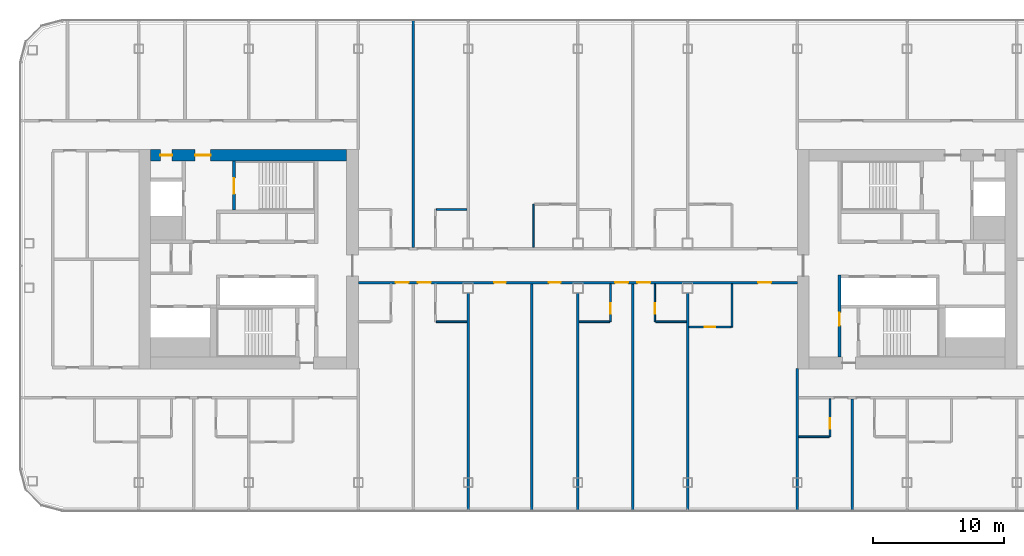
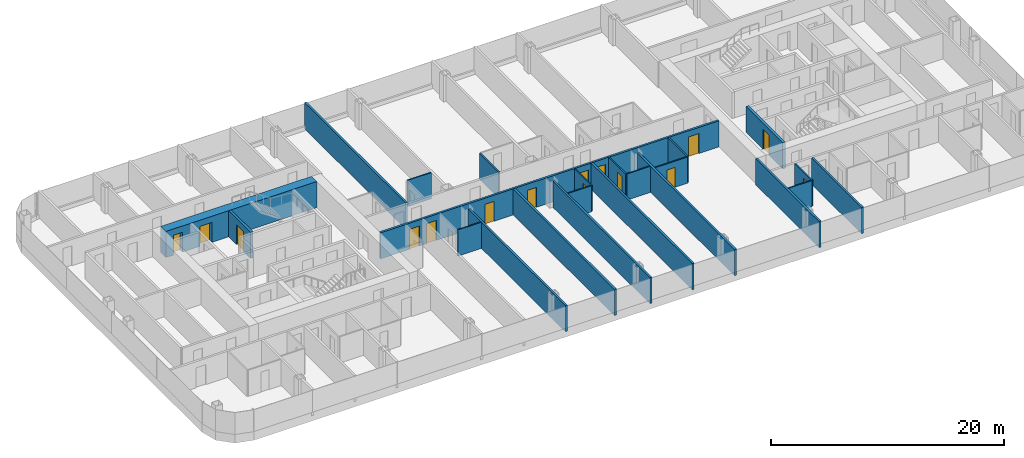
# One storey, part 14 of 26: 23 walls, 15 doors, 15 openings.
"""IFC4 building model written with IfcOpenShell, lengths in metres."""

from ifc_helpers import new_model, si_unit, direction, frame, frame_2d, origin, place, context, subcontext, project, spatial, rectangle, extrude, material, layer, layer_set, type_object, element, fill, save


model = new_model("IFC4")

# Units and contexts
model_context = context("Model", 3, precision=1e-05, world=origin(), true_north=direction((0.0, 1.0)))
body_context = subcontext(model_context, "Body", "Model", "MODEL_VIEW")
ifc_project = project(units=[si_unit("LENGTHUNIT", "METRE"), si_unit("AREAUNIT", "SQUARE_METRE"), si_unit("VOLUMEUNIT", "CUBIC_METRE"), si_unit("PLANEANGLEUNIT", "RADIAN"), si_unit("MASSUNIT", "GRAM", prefix="KILO")], contexts=[model_context])

# Site, building, storey
site_placement = place(None, origin())
site = spatial("IfcSite", under=ifc_project, at=site_placement, CompositionType="ELEMENT")
building_placement = place(site_placement, origin())
building = spatial("IfcBuilding", under=site, at=building_placement, Name="Hakoniwa Tower and Hamabe Station Hall", CompositionType="ELEMENT")
storey_placement = place(building_placement, frame((0.0, 0.0, 156.60009765625)))
storey = spatial("IfcBuildingStorey", under=building, at=storey_placement, Name="L44", CompositionType="ELEMENT", Elevation=156.60009765625)

# Wall
ifc_material_1 = material(Name="Gypsum board partition", Category="gypsum")
ifc_layer_1 = layer(ifc_material_1, 0.125)
ifc_layer_set_1 = layer_set([ifc_layer_1], Name="Bathroom Partition 125")
wall_type_1 = type_object("IfcWallType", Name="Bathroom Partition 125", PredefinedType="PARTITIONING", material=ifc_layer_set_1)
wall_1_placement = place(storey_placement, frame((16.89990234375, -13.60009765625, 0.0), z_axis=(0.0, 0.0, 1.0), x_axis=(1.0, 0.0, 0.0)))
element("IfcWall", 1, at=wall_1_placement, inside=storey, type_object=wall_type_1, Name="GW-L44-006", PredefinedType="PARTITIONING", context=body_context, shape_type="SweptSolid", body=[
    extrude(rectangle(XDim=2.337646484375, YDim=0.125, at=frame_2d((1.1689453125, 0.0))), origin(), (0.0, 0.0, 1.0), 2.75),
])

# Wall, opening, door
wall_2_placement = place(storey_placement, frame((8.5, -5.199951171875, 0.0), z_axis=(0.0, 0.0, 1.0), x_axis=(1.0, 0.0, 0.0)))
wall_2 = element("IfcWall", 2, at=wall_2_placement, inside=storey, type_object=wall_type_1, Name="GW-L44-014", PredefinedType="PARTITIONING", context=body_context, shape_type="SweptSolid", body=[
    extrude(rectangle(XDim=3.237548828125, YDim=0.125, at=frame_2d((1.61865234375, 0.0))), origin(), (0.0, 0.0, 1.0), 2.75),
])
opening_1_placement = place(wall_2_placement, frame((1.199951171875, 0.0, 0.0)))
opening_1 = element("IfcOpeningElement", 3, at=opening_1_placement, cuts=wall_2, Name="Opening GD-G3D1-17", PredefinedType="OPENING", context=body_context, shape_type="SweptSolid", body=[
    extrude(rectangle(XDim=0.800048828125, YDim=2.10009765625, at=frame_2d((0.39990234375, 1.050048828125))), frame((0.0, 0.072509765625, 0.0), z_axis=(0.0, -1.0, 0.0), x_axis=(1.0, 0.0, 0.0)), (0.0, 0.0, 1.0), 0.14501953125),
])
ifc_material_2 = material(Name="Timber door leaf", Category="wood")
door_type_1 = type_object("IfcDoorType", Name="Bathroom Door 800", OperationType="SINGLE_SWING_LEFT", PredefinedType="DOOR", material=ifc_material_2)
door_1_placement = place(opening_1_placement, origin())
door_1 = element("IfcDoor", 4, at=door_1_placement, inside=storey, type_object=door_type_1, Name="Door GD-G3D1-17", OperationType="SINGLE_SWING_LEFT", OverallHeight=2.10009765625, OverallWidth=0.800048828125, PredefinedType="DOOR", context=body_context, shape_type="SweptSolid", body=[
    extrude(rectangle(XDim=0.800048828125, YDim=2.10009765625, at=frame_2d((0.39990234375, 1.050048828125))), frame((0.0, 0.02490234375, 0.0), z_axis=(0.0, -1.0, 0.0), x_axis=(1.0, 0.0, 0.0)), (0.0, 0.0, 1.0), 0.050048828125),
])
fill(opening_1, door_1)

# Walls
for number, where, z_axis, x_axis, name in (
    (5, (-10.83740234375, -4.800048828125, 0.0), (0.0, 0.0, 1.0), (1.0, 0.0, 0.0), "GW-L44-016"),
    (6, (0.10009765625, -4.800048828125, 0.0), (0.0, 0.0, 1.0), (1.0, 0.0, 0.0), "GW-L44-017"),
):
    element("IfcWall", number, at=place(storey_placement, frame(where, z_axis=z_axis, x_axis=x_axis)), inside=storey, type_object=wall_type_1, Name=name, PredefinedType="PARTITIONING", context=body_context, shape_type="SweptSolid", body=[
        extrude(rectangle(XDim=2.33740234375, YDim=0.125, at=frame_2d((1.168701171875, 0.0))), origin(), (0.0, 0.0, 1.0), 2.75),
    ])
wall_3_placement = place(storey_placement, frame((5.96240234375, -4.800048828125, 0.0), z_axis=(0.0, 0.0, 1.0), x_axis=(1.0, 0.0, 0.0)))
element("IfcWall", 7, at=wall_3_placement, inside=storey, type_object=wall_type_1, Name="GW-L44-018", PredefinedType="PARTITIONING", context=body_context, shape_type="SweptSolid", body=[
    extrude(rectangle(XDim=2.337646484375, YDim=0.125, at=frame_2d((1.1689453125, 0.0))), origin(), (0.0, 0.0, 1.0), 2.75),
])
wall_4_placement = place(storey_placement, frame((-10.83740234375, 3.800048828125, 0.0), z_axis=(0.0, 0.0, 1.0), x_axis=(1.0, 0.0, 0.0)))
element("IfcWall", 8, at=wall_4_placement, inside=storey, type_object=wall_type_1, Name="GW-L44-024", PredefinedType="PARTITIONING", context=body_context, shape_type="SweptSolid", body=[
    extrude(rectangle(XDim=2.33740234375, YDim=0.125, at=frame_2d((1.168701171875, 0.0))), origin(), (0.0, 0.0, 1.0), 2.75),
])
wall_5_placement = place(storey_placement, frame((-3.39990234375, 0.89990234375, 0.0), z_axis=(0.0, 0.0, 1.0), x_axis=(0.0, 1.0, 0.0)))
element("IfcWall", 9, at=wall_5_placement, inside=storey, type_object=wall_type_1, Name="GW-L44-059", PredefinedType="PARTITIONING", context=body_context, shape_type="SweptSolid", body=[
    extrude(rectangle(XDim=3.300048828125, YDim=0.125, at=frame_2d((1.64990234375, 0.0))), origin(), (0.0, 0.0, 1.0), 2.75),
])

# Wall, opening, door
wall_6_placement = place(storey_placement, frame((2.5, -4.800048828125, 0.0), z_axis=(0.0, 0.0, 1.0), x_axis=(0.0, 1.0, 0.0)))
wall_6 = element("IfcWall", 10, at=wall_6_placement, inside=storey, type_object=wall_type_1, Name="GW-L44-062", PredefinedType="PARTITIONING", context=body_context, shape_type="SweptSolid", body=[
    extrude(rectangle(XDim=2.900146484375, YDim=0.125, at=frame_2d((1.4501953125, 0.0))), origin(), (0.0, 0.0, 1.0), 2.75),
])
opening_2_placement = place(wall_6_placement, frame((0.60009765625, 0.0, 0.0)))
opening_2 = element("IfcOpeningElement", 11, at=opening_2_placement, cuts=wall_6, Name="Opening GD-G3D1-52", PredefinedType="OPENING", context=body_context, shape_type="SweptSolid", body=[
    extrude(rectangle(XDim=0.800048828125, YDim=2.10009765625, at=frame_2d((0.39990234375, 1.050048828125))), frame((0.0, 0.072509765625, 0.0), z_axis=(0.0, -1.0, 0.0), x_axis=(1.0, 0.0, 0.0)), (0.0, 0.0, 1.0), 0.14501953125),
])
door_2_placement = place(opening_2_placement, origin())
door_2 = element("IfcDoor", 12, at=door_2_placement, inside=storey, type_object=door_type_1, Name="Door GD-G3D1-52", OperationType="SINGLE_SWING_RIGHT", OverallHeight=2.10009765625, OverallWidth=0.800048828125, PredefinedType="DOOR", context=body_context, shape_type="SweptSolid", body=[
    extrude(rectangle(XDim=0.800048828125, YDim=2.10009765625, at=frame_2d((0.39990234375, 1.050048828125))), frame((0.0, 0.02490234375, 0.0), z_axis=(0.0, -1.0, 0.0), x_axis=(1.0, 0.0, 0.0)), (0.0, 0.0, 1.0), 0.050048828125),
])
fill(opening_2, door_2)

wall_7_placement = place(storey_placement, frame((5.89990234375, -4.800048828125, 0.0), z_axis=(0.0, 0.0, 1.0), x_axis=(0.0, 1.0, 0.0)))
wall_7 = element("IfcWall", 13, at=wall_7_placement, inside=storey, type_object=wall_type_1, Name="GW-L44-066", PredefinedType="PARTITIONING", context=body_context, shape_type="SweptSolid", body=[
    extrude(rectangle(XDim=2.900146484375, YDim=0.125, at=frame_2d((1.4501953125, 0.0))), origin(), (0.0, 0.0, 1.0), 2.75),
])
opening_3_placement = place(wall_7_placement, frame((0.60009765625, 0.0, 0.0)))
opening_3 = element("IfcOpeningElement", 14, at=opening_3_placement, cuts=wall_7, Name="Opening GD-G3D1-54", PredefinedType="OPENING", context=body_context, shape_type="SweptSolid", body=[
    extrude(rectangle(XDim=0.800048828125, YDim=2.10009765625, at=frame_2d((0.39990234375, 1.050048828125))), frame((0.0, 0.072509765625, 0.0), z_axis=(0.0, -1.0, 0.0), x_axis=(1.0, 0.0, 0.0)), (0.0, 0.0, 1.0), 0.14501953125),
])
door_3_placement = place(opening_3_placement, origin())
door_3 = element("IfcDoor", 15, at=door_3_placement, inside=storey, type_object=door_type_1, Name="Door GD-G3D1-54", OperationType="SINGLE_SWING_LEFT", OverallHeight=2.10009765625, OverallWidth=0.800048828125, PredefinedType="DOOR", context=body_context, shape_type="SweptSolid", body=[
    extrude(rectangle(XDim=0.800048828125, YDim=2.10009765625, at=frame_2d((0.39990234375, 1.050048828125))), frame((0.0, 0.02490234375, 0.0), z_axis=(0.0, -1.0, 0.0), x_axis=(1.0, 0.0, 0.0)), (0.0, 0.0, 1.0), 0.050048828125),
])
fill(opening_3, door_3)

# Wall
wall_8_placement = place(storey_placement, frame((11.800048828125, -5.199951171875, 0.0), z_axis=(0.0, 0.0, 1.0), x_axis=(0.0, 1.0, 0.0)))
element("IfcWall", 16, at=wall_8_placement, inside=storey, type_object=wall_type_1, Name="GW-L44-070", PredefinedType="PARTITIONING", context=body_context, shape_type="SweptSolid", body=[
    extrude(rectangle(XDim=3.300048828125, YDim=0.125, at=frame_2d((1.64990234375, 0.0))), origin(), (0.0, 0.0, 1.0), 2.75),
])

# Wall, opening, door
wall_9_placement = place(storey_placement, frame((19.300048828125, -13.60009765625, 0.0), z_axis=(0.0, 0.0, 1.0), x_axis=(0.0, 1.0, 0.0)))
wall_9 = element("IfcWall", 17, at=wall_9_placement, inside=storey, type_object=wall_type_1, Name="GW-L44-074", PredefinedType="PARTITIONING", context=body_context, shape_type="SweptSolid", body=[
    extrude(rectangle(XDim=2.900146484375, YDim=0.125, at=frame_2d((1.4501953125, 0.0))), origin(), (0.0, 0.0, 1.0), 2.75),
])
opening_4_placement = place(wall_9_placement, frame((0.60009765625, 0.0, 0.0)))
opening_4 = element("IfcOpeningElement", 18, at=opening_4_placement, cuts=wall_9, Name="Opening GD-G3D1-56", PredefinedType="OPENING", context=body_context, shape_type="SweptSolid", body=[
    extrude(rectangle(XDim=0.800048828125, YDim=2.10009765625, at=frame_2d((0.39990234375, 1.050048828125))), frame((0.0, 0.072509765625, 0.0), z_axis=(0.0, -1.0, 0.0), x_axis=(1.0, 0.0, 0.0)), (0.0, 0.0, 1.0), 0.14501953125),
])
door_4_placement = place(opening_4_placement, origin())
door_4 = element("IfcDoor", 19, at=door_4_placement, inside=storey, type_object=door_type_1, Name="Door GD-G3D1-56", OperationType="SINGLE_SWING_RIGHT", OverallHeight=2.10009765625, OverallWidth=0.800048828125, PredefinedType="DOOR", context=body_context, shape_type="SweptSolid", body=[
    extrude(rectangle(XDim=0.800048828125, YDim=2.10009765625, at=frame_2d((0.39990234375, 1.050048828125))), frame((0.0, 0.02490234375, 0.0), z_axis=(0.0, -1.0, 0.0), x_axis=(1.0, 0.0, 0.0)), (0.0, 0.0, 1.0), 0.050048828125),
])
fill(opening_4, door_4)

# Wall, openings, doors
ifc_material_3 = material(Name="Concrete C66", Category="concrete")
ifc_layer_2 = layer(ifc_material_3, 0.89990234375)
ifc_layer_set_2 = layer_set([ifc_layer_2], Name="CORE WALL 900 C66")
wall_type_2 = type_object("IfcWallType", Name="CORE WALL 900 C66", PredefinedType="SHEAR", material=ifc_layer_set_2)
wall_10_placement = place(storey_placement, frame((-32.699951171875, 7.949951171875, 0.0), z_axis=(0.0, 0.0, 1.0), x_axis=(1.0, 0.0, 0.0)))
wall_10 = element("IfcWall", 20, at=wall_10_placement, inside=storey, type_object=wall_type_2, Name="Core wall NORTH west", PredefinedType="SHEAR", context=body_context, shape_type="SweptSolid", body=[
    extrude(rectangle(XDim=15.0, YDim=0.89990234375, at=frame_2d((7.5, 0.0))), origin(), (0.0, 0.0, 1.0), 2.75),
])
opening_5_placement = place(wall_10_placement, frame((3.39990234375, 0.0, 0.0)))
opening_5 = element("IfcOpeningElement", 21, at=opening_5_placement, cuts=wall_10, Name="Opening CD-W-FN1-12", PredefinedType="OPENING", context=body_context, shape_type="SweptSolid", body=[
    extrude(rectangle(XDim=1.199951171875, YDim=2.10009765625, at=frame_2d((0.60009765625, 1.050048828125))), frame((0.0, 0.4599609375, 0.0), z_axis=(0.0, -1.0, 0.0), x_axis=(1.0, 0.0, 0.0)), (0.0, 0.0, 1.0), 0.919921875),
])
opening_6_placement = place(wall_10_placement, frame((0.75, 0.0, 0.0)))
opening_6 = element("IfcOpeningElement", 22, at=opening_6_placement, cuts=wall_10, Name="Opening CD-W-FN2-9", PredefinedType="OPENING", context=body_context, shape_type="SweptSolid", body=[
    extrude(rectangle(XDim=0.89990234375, YDim=2.10009765625, at=frame_2d((0.449951171875, 1.050048828125))), frame((0.0, 0.4599609375, 0.0), z_axis=(0.0, -1.0, 0.0), x_axis=(1.0, 0.0, 0.0)), (0.0, 0.0, 1.0), 0.919921875),
])
ifc_material_4 = material(Name="Steel fire door", Category="steel")
door_type_2 = type_object("IfcDoorType", Name="CORE DOOR 1200 FD60", OperationType="DOUBLE_DOOR_SINGLE_SWING", PredefinedType="DOOR", material=ifc_material_4)
door_5_placement = place(opening_5_placement, origin())
door_5 = element("IfcDoor", 23, at=door_5_placement, inside=storey, type_object=door_type_2, Name="Stair vestibule door to the fire-fighting lobby", OperationType="DOUBLE_DOOR_SINGLE_SWING", OverallHeight=2.10009765625, OverallWidth=1.199951171875, PredefinedType="DOOR", context=body_context, shape_type="SweptSolid", body=[
    extrude(rectangle(XDim=1.199951171875, YDim=2.10009765625, at=frame_2d((0.60009765625, 1.050048828125))), frame((0.0, 0.02490234375, 0.0), z_axis=(0.0, -1.0, 0.0), x_axis=(1.0, 0.0, 0.0)), (0.0, 0.0, 1.0), 0.050048828125),
])
fill(opening_5, door_5)
ifc_material_5 = material(Name="Steel fire door", Category="steel")
door_type_3 = type_object("IfcDoorType", Name="CORE DOOR 900 FD30", OperationType="NOTDEFINED", PredefinedType="DOOR", material=ifc_material_5)
door_6_placement = place(opening_6_placement, origin())
door_6 = element("IfcDoor", 24, at=door_6_placement, inside=storey, type_object=door_type_3, Name="Riser access door", OperationType="SINGLE_SWING_RIGHT", OverallHeight=2.10009765625, OverallWidth=0.89990234375, PredefinedType="DOOR", context=body_context, shape_type="SweptSolid", body=[
    extrude(rectangle(XDim=0.89990234375, YDim=2.10009765625, at=frame_2d((0.449951171875, 1.050048828125))), frame((0.0, 0.02490234375, 0.0), z_axis=(0.0, -1.0, 0.0), x_axis=(1.0, 0.0, 0.0)), (0.0, 0.0, 1.0), 0.050048828125),
])
fill(opening_6, door_6)

# Wall, opening, door
ifc_material_6 = material(Name="Concrete C66", Category="concrete")
ifc_layer_3 = layer(ifc_material_6, 0.25)
ifc_layer_set_3 = layer_set([ifc_layer_3], Name="CORE WEB WALL 250 C66")
wall_type_3 = type_object("IfcWallType", Name="CORE WEB WALL 250 C66", PredefinedType="SHEAR", material=ifc_layer_set_3)
wall_11_placement = place(storey_placement, frame((-26.324951171875, 3.75, 0.0), z_axis=(0.0, 0.0, 1.0), x_axis=(0.0, 1.0, 0.0)))
wall_11 = element("IfcWall", 25, at=wall_11_placement, inside=storey, type_object=wall_type_3, Name="Core wall NSE west", PredefinedType="SHEAR", context=body_context, shape_type="SweptSolid", body=[
    extrude(rectangle(XDim=3.75, YDim=0.25, at=frame_2d((1.875, 0.0))), origin(), (0.0, 0.0, 1.0), 2.75),
])
opening_7_placement = place(wall_11_placement, frame((1.25, 0.0, 0.0)))
opening_7 = element("IfcOpeningElement", 26, at=opening_7_placement, cuts=wall_11, Name="Opening CD-W-SN-12", PredefinedType="OPENING", context=body_context, shape_type="SweptSolid", body=[
    extrude(rectangle(XDim=1.199951171875, YDim=2.10009765625, at=frame_2d((0.60009765625, 1.050048828125))), frame((0.0, 0.135009765625, 0.0), z_axis=(0.0, -1.0, 0.0), x_axis=(1.0, 0.0, 0.0)), (0.0, 0.0, 1.0), 0.27001953125),
])
door_7_placement = place(opening_7_placement, origin())
door_7 = element("IfcDoor", 27, at=door_7_placement, inside=storey, type_object=door_type_2, Name="Escape stair door", OperationType="DOUBLE_DOOR_SINGLE_SWING", OverallHeight=2.10009765625, OverallWidth=1.199951171875, PredefinedType="DOOR", context=body_context, shape_type="SweptSolid", body=[
    extrude(rectangle(XDim=1.199951171875, YDim=2.10009765625, at=frame_2d((0.60009765625, 1.050048828125))), frame((0.0, 0.02490234375, 0.0), z_axis=(0.0, -1.0, 0.0), x_axis=(1.0, 0.0, 0.0)), (0.0, 0.0, 1.0), 0.050048828125),
])
fill(opening_7, door_7)

wall_12_placement = place(storey_placement, frame((20.02490234375, -7.5, 0.0), z_axis=(0.0, 0.0, 1.0), x_axis=(0.0, 1.0, 0.0)))
wall_12 = element("IfcWall", 28, at=wall_12_placement, inside=storey, type_object=wall_type_3, Name="Core wall W1S east", PredefinedType="SHEAR", context=body_context, shape_type="SweptSolid", body=[
    extrude(rectangle(XDim=6.300048828125, YDim=0.25, at=frame_2d((3.14990234375, 0.0))), origin(), (0.0, 0.0, 1.0), 2.75),
])
opening_8_placement = place(wall_12_placement, frame((2.39990234375, 0.0, 0.0)))
opening_8 = element("IfcOpeningElement", 29, at=opening_8_placement, cuts=wall_12, Name="Opening CD-E-VS-10", PredefinedType="OPENING", context=body_context, shape_type="SweptSolid", body=[
    extrude(rectangle(XDim=1.0, YDim=2.10009765625, at=frame_2d((0.5, 1.050048828125))), frame((0.0, 0.135009765625, 0.0), z_axis=(0.0, -1.0, 0.0), x_axis=(1.0, 0.0, 0.0)), (0.0, 0.0, 1.0), 0.27001953125),
])
ifc_material_7 = material(Name="Steel fire door", Category="steel")
door_type_4 = type_object("IfcDoorType", Name="CORE DOOR 1000 FD60", OperationType="NOTDEFINED", PredefinedType="DOOR", material=ifc_material_7)
door_8_placement = place(opening_8_placement, origin())
door_8 = element("IfcDoor", 30, at=door_8_placement, inside=storey, type_object=door_type_4, Name="Stair vestibule door", OperationType="SINGLE_SWING_RIGHT", OverallHeight=2.10009765625, OverallWidth=1.0, PredefinedType="DOOR", context=body_context, shape_type="SweptSolid", body=[
    extrude(rectangle(XDim=1.0, YDim=2.10009765625, at=frame_2d((0.5, 1.050048828125))), frame((0.0, 0.02490234375, 0.0), z_axis=(0.0, -1.0, 0.0), x_axis=(1.0, 0.0, 0.0)), (0.0, 0.0, 1.0), 0.050048828125),
])
fill(opening_8, door_8)

# Wall, openings, doors
ifc_material_8 = material(Name="Fire-rated gypsum board partition", Category="gypsum")
ifc_layer_4 = layer(ifc_material_8, 0.199951171875)
ifc_layer_set_4 = layer_set([ifc_layer_4], Name="Corridor Wall 200")
wall_type_4 = type_object("IfcWallType", Name="Corridor Wall 200", PredefinedType="PARTITIONING", material=ifc_layer_set_4)
wall_13_placement = place(storey_placement, frame((-16.800048828125, -1.800048828125, 0.0), z_axis=(0.0, 0.0, 1.0), x_axis=(1.0, 0.0, 0.0)))
wall_13 = element("IfcWall", 31, at=wall_13_placement, inside=storey, type_object=wall_type_4, Name="GW-L44-019", PredefinedType="PARTITIONING", context=body_context, shape_type="SweptSolid", body=[
    extrude(rectangle(XDim=33.60009765625, YDim=0.199951171875, at=frame_2d((16.800048828125, 0.0))), origin(), (0.0, 0.0, 1.0), 2.75),
])
opening_9_placement = place(wall_13_placement, frame((2.85009765625, 0.0, 0.0)))
opening_9 = element("IfcOpeningElement", 32, at=opening_9_placement, cuts=wall_13, Name="Opening GD-G3D1-18", PredefinedType="OPENING", context=body_context, shape_type="SweptSolid", body=[
    extrude(rectangle(XDim=1.0, YDim=2.10009765625, at=frame_2d((0.5, 1.050048828125))), frame((0.0, 0.10986328125, 0.0), z_axis=(0.0, -1.0, 0.0), x_axis=(1.0, 0.0, 0.0)), (0.0, 0.0, 1.0), 0.219970703125),
])
opening_10_placement = place(wall_13_placement, frame((4.550048828125, 0.0, 0.0)))
opening_10 = element("IfcOpeningElement", 33, at=opening_10_placement, cuts=wall_13, Name="Opening GD-G3D1-19", PredefinedType="OPENING", context=body_context, shape_type="SweptSolid", body=[
    extrude(rectangle(XDim=1.0, YDim=2.10009765625, at=frame_2d((0.5, 1.050048828125))), frame((0.0, 0.10986328125, 0.0), z_axis=(0.0, -1.0, 0.0), x_axis=(1.0, 0.0, 0.0)), (0.0, 0.0, 1.0), 0.219970703125),
])
opening_11_placement = place(wall_13_placement, frame((10.385009765625, 0.0, 0.0)))
opening_11 = element("IfcOpeningElement", 34, at=opening_11_placement, cuts=wall_13, Name="Opening GD-G3D1-20", PredefinedType="OPENING", context=body_context, shape_type="SweptSolid", body=[
    extrude(rectangle(XDim=0.89990234375, YDim=2.10009765625, at=frame_2d((0.449951171875, 1.050048828125))), frame((0.0, 0.10986328125, 0.0), z_axis=(0.0, -1.0, 0.0), x_axis=(1.0, 0.0, 0.0)), (0.0, 0.0, 1.0), 0.219970703125),
])
opening_12_placement = place(wall_13_placement, frame((14.5849609375, 0.0, 0.0)))
opening_12 = element("IfcOpeningElement", 35, at=opening_12_placement, cuts=wall_13, Name="Opening GD-G3D1-21", PredefinedType="OPENING", context=body_context, shape_type="SweptSolid", body=[
    extrude(rectangle(XDim=0.89990234375, YDim=2.10009765625, at=frame_2d((0.449951171875, 1.050048828125))), frame((0.0, 0.10986328125, 0.0), z_axis=(0.0, -1.0, 0.0), x_axis=(1.0, 0.0, 0.0)), (0.0, 0.0, 1.0), 0.219970703125),
])
opening_13_placement = place(wall_13_placement, frame((19.64990234375, 0.0, 0.0)))
opening_13 = element("IfcOpeningElement", 36, at=opening_13_placement, cuts=wall_13, Name="Opening GD-G3D1-22", PredefinedType="OPENING", context=body_context, shape_type="SweptSolid", body=[
    extrude(rectangle(XDim=1.0, YDim=2.10009765625, at=frame_2d((0.5, 1.050048828125))), frame((0.0, 0.10986328125, 0.0), z_axis=(0.0, -1.0, 0.0), x_axis=(1.0, 0.0, 0.0)), (0.0, 0.0, 1.0), 0.219970703125),
])
opening_14_placement = place(wall_13_placement, frame((21.35009765625, 0.0, 0.0)))
opening_14 = element("IfcOpeningElement", 37, at=opening_14_placement, cuts=wall_13, Name="Opening GD-G3D1-23", PredefinedType="OPENING", context=body_context, shape_type="SweptSolid", body=[
    extrude(rectangle(XDim=1.0, YDim=2.10009765625, at=frame_2d((0.5, 1.050048828125))), frame((0.0, 0.10986328125, 0.0), z_axis=(0.0, -1.0, 0.0), x_axis=(1.0, 0.0, 0.0)), (0.0, 0.0, 1.0), 0.219970703125),
])
opening_15_placement = place(wall_13_placement, frame((30.60009765625, 0.0, 0.0)))
opening_15 = element("IfcOpeningElement", 38, at=opening_15_placement, cuts=wall_13, Name="Opening GD-G3D1-24", PredefinedType="OPENING", context=body_context, shape_type="SweptSolid", body=[
    extrude(rectangle(XDim=1.0, YDim=2.10009765625, at=frame_2d((0.5, 1.050048828125))), frame((0.0, 0.10986328125, 0.0), z_axis=(0.0, -1.0, 0.0), x_axis=(1.0, 0.0, 0.0)), (0.0, 0.0, 1.0), 0.219970703125),
])
ifc_material_9 = material(Name="Timber door leaf", Category="wood")
door_type_5 = type_object("IfcDoorType", Name="Guest Entrance Door 1000", OperationType="SINGLE_SWING_LEFT", PredefinedType="DOOR", material=ifc_material_9)
door_9_placement = place(opening_9_placement, origin())
door_9 = element("IfcDoor", 39, at=door_9_placement, inside=storey, type_object=door_type_5, Name="Door GD-G3D1-18", OperationType="SINGLE_SWING_LEFT", OverallHeight=2.10009765625, OverallWidth=1.0, PredefinedType="DOOR", context=body_context, shape_type="SweptSolid", body=[
    extrude(rectangle(XDim=1.0, YDim=2.10009765625, at=frame_2d((0.5, 1.050048828125))), frame((0.0, 0.02490234375, 0.0), z_axis=(0.0, -1.0, 0.0), x_axis=(1.0, 0.0, 0.0)), (0.0, 0.0, 1.0), 0.050048828125),
])
fill(opening_9, door_9)
door_10_placement = place(opening_10_placement, origin())
door_10 = element("IfcDoor", 40, at=door_10_placement, inside=storey, type_object=door_type_5, Name="Door GD-G3D1-19", OperationType="SINGLE_SWING_RIGHT", OverallHeight=2.10009765625, OverallWidth=1.0, PredefinedType="DOOR", context=body_context, shape_type="SweptSolid", body=[
    extrude(rectangle(XDim=1.0, YDim=2.10009765625, at=frame_2d((0.5, 1.050048828125))), frame((0.0, 0.02490234375, 0.0), z_axis=(0.0, -1.0, 0.0), x_axis=(1.0, 0.0, 0.0)), (0.0, 0.0, 1.0), 0.050048828125),
])
fill(opening_10, door_10)
door_11_placement = place(opening_13_placement, origin())
door_11 = element("IfcDoor", 41, at=door_11_placement, inside=storey, type_object=door_type_5, Name="Door GD-G3D1-22", OperationType="SINGLE_SWING_RIGHT", OverallHeight=2.10009765625, OverallWidth=1.0, PredefinedType="DOOR", context=body_context, shape_type="SweptSolid", body=[
    extrude(rectangle(XDim=1.0, YDim=2.10009765625, at=frame_2d((0.5, 1.050048828125))), frame((0.0, 0.02490234375, 0.0), z_axis=(0.0, -1.0, 0.0), x_axis=(1.0, 0.0, 0.0)), (0.0, 0.0, 1.0), 0.050048828125),
])
fill(opening_13, door_11)
door_12_placement = place(opening_14_placement, origin())
door_12 = element("IfcDoor", 42, at=door_12_placement, inside=storey, type_object=door_type_5, Name="Door GD-G3D1-23", OperationType="SINGLE_SWING_LEFT", OverallHeight=2.10009765625, OverallWidth=1.0, PredefinedType="DOOR", context=body_context, shape_type="SweptSolid", body=[
    extrude(rectangle(XDim=1.0, YDim=2.10009765625, at=frame_2d((0.5, 1.050048828125))), frame((0.0, 0.02490234375, 0.0), z_axis=(0.0, -1.0, 0.0), x_axis=(1.0, 0.0, 0.0)), (0.0, 0.0, 1.0), 0.050048828125),
])
fill(opening_14, door_12)
door_13_placement = place(opening_15_placement, origin())
door_13 = element("IfcDoor", 43, at=door_13_placement, inside=storey, type_object=door_type_5, Name="Door GD-G3D1-24", OperationType="SINGLE_SWING_RIGHT", OverallHeight=2.10009765625, OverallWidth=1.0, PredefinedType="DOOR", context=body_context, shape_type="SweptSolid", body=[
    extrude(rectangle(XDim=1.0, YDim=2.10009765625, at=frame_2d((0.5, 1.050048828125))), frame((0.0, 0.02490234375, 0.0), z_axis=(0.0, -1.0, 0.0), x_axis=(1.0, 0.0, 0.0)), (0.0, 0.0, 1.0), 0.050048828125),
])
fill(opening_15, door_13)
ifc_material_10 = material(Name="Timber door leaf", Category="wood")
door_type_6 = type_object("IfcDoorType", Name="Service Door 900", OperationType="SINGLE_SWING_LEFT", PredefinedType="DOOR", material=ifc_material_10)
door_14_placement = place(opening_11_placement, origin())
door_14 = element("IfcDoor", 44, at=door_14_placement, inside=storey, type_object=door_type_6, Name="Door GD-G3D1-20", OperationType="SINGLE_SWING_RIGHT", OverallHeight=2.10009765625, OverallWidth=0.89990234375, PredefinedType="DOOR", context=body_context, shape_type="SweptSolid", body=[
    extrude(rectangle(XDim=0.89990234375, YDim=2.10009765625, at=frame_2d((0.449951171875, 1.050048828125))), frame((0.0, 0.02490234375, 0.0), z_axis=(0.0, -1.0, 0.0), x_axis=(1.0, 0.0, 0.0)), (0.0, 0.0, 1.0), 0.050048828125),
])
fill(opening_11, door_14)
door_15_placement = place(opening_12_placement, origin())
door_15 = element("IfcDoor", 45, at=door_15_placement, inside=storey, type_object=door_type_6, Name="Door GD-G3D1-21", OperationType="SINGLE_SWING_LEFT", OverallHeight=2.10009765625, OverallWidth=0.89990234375, PredefinedType="DOOR", context=body_context, shape_type="SweptSolid", body=[
    extrude(rectangle(XDim=0.89990234375, YDim=2.10009765625, at=frame_2d((0.449951171875, 1.050048828125))), frame((0.0, 0.02490234375, 0.0), z_axis=(0.0, -1.0, 0.0), x_axis=(1.0, 0.0, 0.0)), (0.0, 0.0, 1.0), 0.050048828125),
])
fill(opening_12, door_15)

# Walls
ifc_material_11 = material(Name="Fire-rated gypsum board partition", Category="gypsum")
ifc_layer_5 = layer(ifc_material_11, 0.199951171875)
ifc_layer_set_5 = layer_set([ifc_layer_5], Name="Party Wall 200")
wall_type_5 = type_object("IfcWallType", Name="Party Wall 200", PredefinedType="PARTITIONING", material=ifc_layer_set_5)
wall_14_placement = place(storey_placement, frame((-12.60009765625, 0.89990234375, 0.0), z_axis=(0.0, 0.0, 1.0), x_axis=(0.0, 1.0, 0.0)))
element("IfcWall", 46, at=wall_14_placement, inside=storey, type_object=wall_type_5, Name="GW-L44-053", PredefinedType="PARTITIONING", context=body_context, shape_type="SweptSolid", body=[
    extrude(rectangle(XDim=17.400146484375, YDim=0.199951171875, at=frame_2d((8.7001953125, 0.0))), origin(), (0.0, 0.0, 1.0), 2.75),
])
wall_15_placement = place(storey_placement, frame((-8.39990234375, -19.300048828125, 0.0), z_axis=(0.0, 0.0, 1.0), x_axis=(0.0, 1.0, 0.0)))
element("IfcWall", 47, at=wall_15_placement, inside=storey, type_object=wall_type_5, Name="GW-L44-056", PredefinedType="PARTITIONING", context=body_context, shape_type="SweptSolid", body=[
    extrude(rectangle(XDim=16.7099609375, YDim=0.199951171875, at=frame_2d((8.35498046875, 0.0))), origin(), (0.0, 0.0, 1.0), 2.75),
])
wall_16_placement = place(storey_placement, frame((-3.530029296875, -19.300048828125, 0.0), z_axis=(0.0, 0.0, 1.0), x_axis=(0.0, 1.0, 0.0)))
element("IfcWall", 48, at=wall_16_placement, inside=storey, type_object=wall_type_5, Name="GW-L44-058", PredefinedType="PARTITIONING", context=body_context, shape_type="SweptSolid", body=[
    extrude(rectangle(XDim=17.400146484375, YDim=0.199951171875, at=frame_2d((8.7001953125, 0.0))), origin(), (0.0, 0.0, 1.0), 2.75),
])
wall_17_placement = place(storey_placement, frame((0.0, -19.300048828125, 0.0), z_axis=(0.0, 0.0, 1.0), x_axis=(0.0, 1.0, 0.0)))
element("IfcWall", 49, at=wall_17_placement, inside=storey, type_object=wall_type_5, Name="GW-L44-060", PredefinedType="PARTITIONING", context=body_context, shape_type="SweptSolid", body=[
    extrude(rectangle(XDim=16.7099609375, YDim=0.199951171875, at=frame_2d((8.35498046875, 0.0))), origin(), (0.0, 0.0, 1.0), 2.75),
])
wall_18_placement = place(storey_placement, frame((4.199951171875, -19.300048828125, 0.0), z_axis=(0.0, 0.0, 1.0), x_axis=(0.0, 1.0, 0.0)))
element("IfcWall", 50, at=wall_18_placement, inside=storey, type_object=wall_type_5, Name="GW-L44-064", PredefinedType="PARTITIONING", context=body_context, shape_type="SweptSolid", body=[
    extrude(rectangle(XDim=17.400146484375, YDim=0.199951171875, at=frame_2d((8.7001953125, 0.0))), origin(), (0.0, 0.0, 1.0), 2.75),
])
wall_19_placement = place(storey_placement, frame((8.39990234375, -19.300048828125, 0.0), z_axis=(0.0, 0.0, 1.0), x_axis=(0.0, 1.0, 0.0)))
element("IfcWall", 51, at=wall_19_placement, inside=storey, type_object=wall_type_5, Name="GW-L44-068", PredefinedType="PARTITIONING", context=body_context, shape_type="SweptSolid", body=[
    extrude(rectangle(XDim=16.7099609375, YDim=0.199951171875, at=frame_2d((8.35498046875, 0.0))), origin(), (0.0, 0.0, 1.0), 2.75),
])
wall_20_placement = place(storey_placement, frame((16.800048828125, -19.300048828125, 0.0), z_axis=(0.0, 0.0, 1.0), x_axis=(0.0, 1.0, 0.0)))
element("IfcWall", 52, at=wall_20_placement, inside=storey, type_object=wall_type_5, Name="GW-L44-072", PredefinedType="PARTITIONING", context=body_context, shape_type="SweptSolid", body=[
    extrude(rectangle(XDim=10.91015625, YDim=0.199951171875, at=frame_2d((5.455078125, 0.0))), origin(), (0.0, 0.0, 1.0), 2.75),
])
wall_21_placement = place(storey_placement, frame((21.0, -19.300048828125, 0.0), z_axis=(0.0, 0.0, 1.0), x_axis=(0.0, 1.0, 0.0)))
element("IfcWall", 53, at=wall_21_placement, inside=storey, type_object=wall_type_5, Name="GW-L44-075", PredefinedType="PARTITIONING", context=body_context, shape_type="SweptSolid", body=[
    extrude(rectangle(XDim=8.60009765625, YDim=0.199951171875, at=frame_2d((4.300048828125, 0.0))), origin(), (0.0, 0.0, 1.0), 2.75),
])

save(model, "model.ifc")
